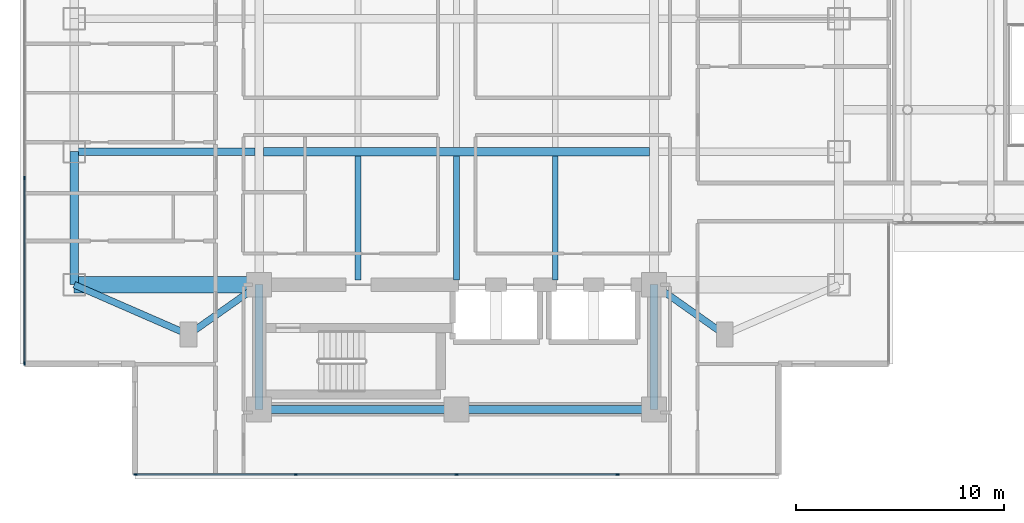
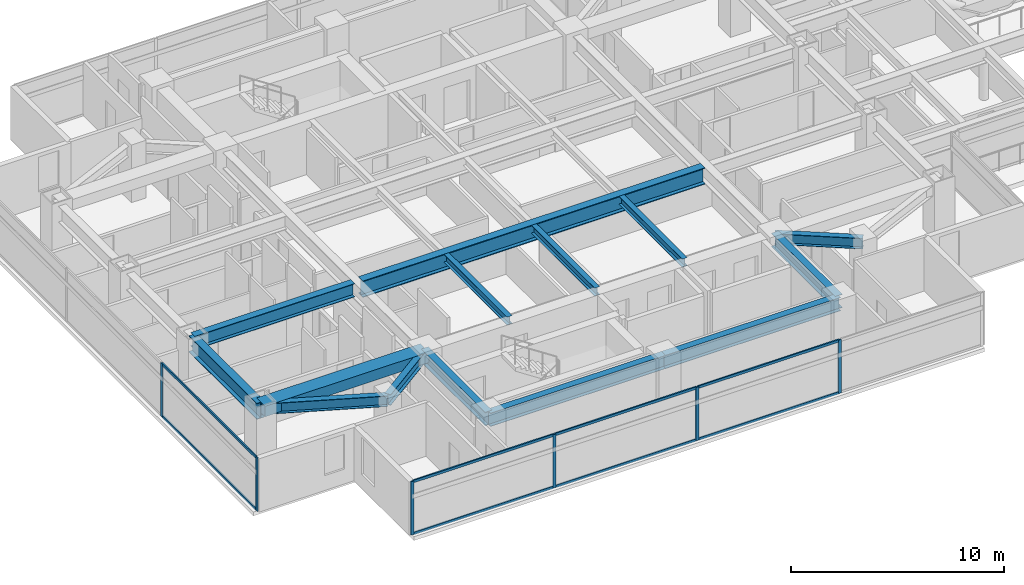
# One storey, part 2 of 27: 14 beams, 14 members, 2 elements without a shape of their own.
"""IFC4 building model written with IfcOpenShell, lengths in metres."""

from ifc_helpers import new_model, si_unit, direction, frame, origin, origin_2d, place, context, subcontext, project, spatial, rectangle, i_section, extrude, material, material_profile, profile_set, type_object, element, aggregate, save


model = new_model("IFC4")

# Units and contexts
model_context = context("Model", 3, precision=1e-05, world=origin(), true_north=direction((0.0, 1.0)))
body_context = subcontext(model_context, "Body", "Model", "MODEL_VIEW")
ifc_project = project(units=[si_unit("LENGTHUNIT", "METRE"), si_unit("AREAUNIT", "SQUARE_METRE"), si_unit("VOLUMEUNIT", "CUBIC_METRE"), si_unit("PLANEANGLEUNIT", "RADIAN"), si_unit("MASSUNIT", "GRAM", prefix="KILO")], contexts=[model_context])

# Site, building, storey
site_placement = place(None, origin())
site = spatial("IfcSite", under=ifc_project, at=site_placement, CompositionType="ELEMENT")
building_placement = place(site_placement, origin())
building = spatial("IfcBuilding", under=site, at=building_placement, Name="Mirazonda Arch Towers", CompositionType="ELEMENT")
storey_placement = place(building_placement, frame((0.0, 0.0, 95.0)))
storey = spatial("IfcBuildingStorey", under=building, at=storey_placement, Name="L26", CompositionType="ELEMENT", Elevation=95.0)

# Beams
ifc_material_1 = material(Name="Steel ASTM A992 Grade 50", Category="steel")
ifc_material_profile_1 = material_profile(ifc_material_1, i_section(OverallWidth=0.41796875, OverallDepth=0.927001953125, WebThickness=0.019287109375, FlangeThickness=0.031982421875, at=origin_2d()), Name="W36X231")
ifc_profile_set_1 = profile_set([ifc_material_profile_1], Name="Steel ASTM A992 Grade 50")
beam_type_1 = type_object("IfcBeamType", Name="BM-EXT-W36X231", PredefinedType="USERDEFINED", material=ifc_profile_set_1)
beam_1_placement = place(storey_placement, frame((2.10009765625, 18.39990234375, 2.616455078125), z_axis=(0.0, 1.0, 0.0), x_axis=(-1.0, 0.0, 0.0)))
element("IfcBeam", 1, at=beam_1_placement, inside=storey, type_object=beam_type_1, Name="L26 Floor Beam BM-T1-L26-NS-W-18", ObjectType="GIRDER", PredefinedType="USERDEFINED", context=body_context, shape_type="SweptSolid", body=[
    extrude(i_section(OverallWidth=0.41796875, OverallDepth=0.927001953125, WebThickness=0.019287109375, FlangeThickness=0.031982421875, at=origin_2d()), origin(), (0.0, 0.0, 1.0), 6.400146484375),
])
ifc_material_profile_2 = material_profile(ifc_material_1, i_section(OverallWidth=0.280029296875, OverallDepth=0.462890625, WebThickness=0.0107421875, FlangeThickness=0.017333984375, at=origin_2d()), Name="W18X76")
ifc_profile_set_2 = profile_set([ifc_material_profile_2], Name="Steel ASTM A992 Grade 50")
beam_type_2 = type_object("IfcBeamType", Name="BM-INT-W18X76", PredefinedType="JOIST", material=ifc_profile_set_2)
for number, where, z_axis, x_axis, name in (
    (2, (15.75, 18.639892578125, 2.848388671875), (0.0, 1.0, 0.0), (-1.0, 0.0, 0.0), "L26 Floor Beam BM-T1-L26-J-157-18"),
    (3, (20.5, 18.639892578125, 2.848388671875), (0.0, 1.0, 0.0), (-1.0, 0.0, 0.0), "L26 Floor Beam BM-T1-L26-J-205-18"),
    (4, (25.25, 18.639892578125, 2.848388671875), (0.0, 1.0, 0.0), (-1.0, 0.0, 0.0), "L26 Floor Beam BM-T1-L26-J-252-18"),
):
    element("IfcBeam", number, at=place(storey_placement, frame(where, z_axis=z_axis, x_axis=x_axis)), inside=storey, type_object=beam_type_2, Name=name, PredefinedType="JOIST", context=body_context, shape_type="SweptSolid", body=[
        extrude(i_section(OverallWidth=0.280029296875, OverallDepth=0.462890625, WebThickness=0.0107421875, FlangeThickness=0.017333984375, at=origin_2d()), origin(), (0.0, 0.0, 1.0), 5.95263671875),
    ])
ifc_material_profile_3 = material_profile(ifc_material_1, i_section(OverallWidth=0.324951171875, OverallDepth=0.615966796875, WebThickness=0.013916015625, FlangeThickness=0.021484375, at=origin_2d()), Name="W24X117")
ifc_profile_set_3 = profile_set([ifc_material_profile_3], Name="Steel ASTM A992 Grade 50")
beam_type_3 = type_object("IfcBeamType", Name="BM-INT-W24X117", PredefinedType="BEAM", material=ifc_profile_set_3)
beam_2_placement = place(storey_placement, frame((7.60009765625, 16.0, 2.77197265625), z_axis=(0.816971114901, 0.576678591087, 0.0), x_axis=(-0.576678591087, 0.816971114901, 0.0)))
element("IfcBeam", 5, at=beam_2_placement, inside=storey, type_object=beam_type_3, Name="L26 Floor Beam BM-T1-L26-PL-SW1", PredefinedType="BEAM", context=body_context, shape_type="SweptSolid", body=[
    extrude(i_section(OverallWidth=0.324951171875, OverallDepth=0.615966796875, WebThickness=0.013916015625, FlangeThickness=0.021484375, at=origin_2d()), origin(), (0.0, 0.0, 1.0), 4.16162109375),
])
beam_3_placement = place(storey_placement, frame((7.60009765625, 16.0, 2.77197265625), z_axis=(-0.916545343703, 0.399930785183, 0.0), x_axis=(-0.399930785183, -0.916545343703, 0.0)))
element("IfcBeam", 6, at=beam_3_placement, inside=storey, type_object=beam_type_3, Name="L26 Floor Beam BM-T1-L26-PL-SW2", PredefinedType="BEAM", context=body_context, shape_type="SweptSolid", body=[
    extrude(i_section(OverallWidth=0.324951171875, OverallDepth=0.615966796875, WebThickness=0.013916015625, FlangeThickness=0.021484375, at=origin_2d()), origin(), (0.0, 0.0, 1.0), 6.000732421875),
])
beam_4_placement = place(storey_placement, frame((33.39990234375, 16.0, 2.77197265625), z_axis=(-0.816971114901, 0.576678591087, 0.0), x_axis=(-0.576678591087, -0.816971114901, 0.0)))
element("IfcBeam", 7, at=beam_4_placement, inside=storey, type_object=beam_type_3, Name="L26 Floor Beam BM-T1-L26-PL-SE1", PredefinedType="BEAM", context=body_context, shape_type="SweptSolid", body=[
    extrude(i_section(OverallWidth=0.324951171875, OverallDepth=0.615966796875, WebThickness=0.013916015625, FlangeThickness=0.021484375, at=origin_2d()), origin(), (0.0, 0.0, 1.0), 4.16162109375),
])
ifc_material_profile_4 = material_profile(ifc_material_1, i_section(OverallWidth=0.381103515625, OverallDepth=0.77294921875, WebThickness=0.0166015625, FlangeThickness=0.027099609375, at=origin_2d()), Name="W30X173")
ifc_profile_set_4 = profile_set([ifc_material_profile_4], Name="Steel ASTM A992 Grade 50")
beam_type_4 = type_object("IfcBeamType", Name="BM-INT-W30X173", PredefinedType="USERDEFINED", material=ifc_profile_set_4)
beam_5_placement = place(storey_placement, frame((2.10009765625, 24.800048828125, 2.693603515625), z_axis=(1.0, 0.0, 0.0), x_axis=(0.0, 1.0, 0.0)))
element("IfcBeam", 8, at=beam_5_placement, inside=storey, type_object=beam_type_4, Name="L26 Floor Beam BM-T1-L26-GW2", ObjectType="GIRDER", PredefinedType="USERDEFINED", context=body_context, shape_type="SweptSolid", body=[
    extrude(i_section(OverallWidth=0.381103515625, OverallDepth=0.77294921875, WebThickness=0.0166015625, FlangeThickness=0.027099609375, at=origin_2d()), origin(), (0.0, 0.0, 1.0), 8.6884765625),
])
for number, where, z_axis, x_axis, name in (
    (9, (11.0, 12.39990234375, 2.693603515625), (1.0, 0.0, 0.0), (0.0, 1.0, 0.0), "L26 Floor Beam BM-T1-L26-CS1"),
    (10, (20.5, 12.39990234375, 2.693603515625), (1.0, 0.0, 0.0), (0.0, 1.0, 0.0), "L26 Floor Beam BM-T1-L26-CS2"),
):
    element("IfcBeam", number, at=place(storey_placement, frame(where, z_axis=z_axis, x_axis=x_axis)), inside=storey, type_object=beam_type_4, Name=name, ObjectType="GIRDER", PredefinedType="USERDEFINED", context=body_context, shape_type="SweptSolid", body=[
        extrude(i_section(OverallWidth=0.381103515625, OverallDepth=0.77294921875, WebThickness=0.0166015625, FlangeThickness=0.027099609375, at=origin_2d()), origin(), (0.0, 0.0, 1.0), 9.5),
    ])
for number, where, z_axis, x_axis, name in (
    (11, (11.0, 12.39990234375, 2.693603515625), (0.0, 1.0, 0.0), (-1.0, 0.0, 0.0), "L26 Floor Beam BM-T1-L26-CSW"),
    (12, (30.0, 12.39990234375, 2.693603515625), (0.0, 1.0, 0.0), (-1.0, 0.0, 0.0), "L26 Floor Beam BM-T1-L26-CSE"),
):
    element("IfcBeam", number, at=place(storey_placement, frame(where, z_axis=z_axis, x_axis=x_axis)), inside=storey, type_object=beam_type_4, Name=name, ObjectType="GIRDER", PredefinedType="USERDEFINED", context=body_context, shape_type="SweptSolid", body=[
        extrude(i_section(OverallWidth=0.381103515625, OverallDepth=0.77294921875, WebThickness=0.0166015625, FlangeThickness=0.027099609375, at=origin_2d()), origin(), (0.0, 0.0, 1.0), 6.0),
    ])
ifc_material_profile_5 = material_profile(ifc_material_1, i_section(OverallWidth=0.423095703125, OverallDepth=0.947998046875, WebThickness=0.02392578125, FlangeThickness=0.042724609375, at=origin_2d()), Name="W36X302")
ifc_profile_set_5 = profile_set([ifc_material_profile_5], Name="Steel ASTM A992 Grade 50")
beam_type_5 = type_object("IfcBeamType", Name="BM-INT-W36X302", PredefinedType="USERDEFINED", material=ifc_profile_set_5)
beam_6_placement = place(storey_placement, frame((11.21142578125, 24.800048828125, 2.60595703125), z_axis=(1.0, 0.0, 0.0), x_axis=(0.0, 1.0, 0.0)))
element("IfcBeam", 13, at=beam_6_placement, inside=storey, type_object=beam_type_5, Name="L26 Floor Beam BM-T1-L26-GC2", ObjectType="GIRDER", PredefinedType="USERDEFINED", context=body_context, shape_type="SweptSolid", body=[
    extrude(i_section(OverallWidth=0.423095703125, OverallDepth=0.947998046875, WebThickness=0.02392578125, FlangeThickness=0.042724609375, at=origin_2d()), origin(), (0.0, 0.0, 1.0), 18.5771484375),
])
ifc_material_2 = material(Name="Concrete C60/75", Category="concrete")
ifc_material_profile_6 = material_profile(ifc_material_2, rectangle(XDim=0.800048828125, YDim=0.60009765625, at=origin_2d()), Name="RCCB800x600")
ifc_profile_set_6 = profile_set([ifc_material_profile_6], Name="Concrete C60/75")
beam_type_6 = type_object("IfcBeamType", Name="CB-INT-RCCB800x600", PredefinedType="SPANDREL", material=ifc_profile_set_6)
beam_7_placement = place(storey_placement, frame((2.10009765625, 18.39990234375, 2.780029296875), z_axis=(1.0, 0.0, 0.0), x_axis=(0.0, 1.0, 0.0)))
element("IfcBeam", 14, at=beam_7_placement, inside=storey, type_object=beam_type_6, Name="L26 Floor Beam CBC-T1-L26-SW", PredefinedType="SPANDREL", context=body_context, shape_type="SweptSolid", body=[
    extrude(rectangle(XDim=0.800048828125, YDim=0.60009765625, at=origin_2d()), origin(), (0.0, 0.0, 1.0), 8.89990234375),
])

# Curtain wall, members
ifc_material_3 = material(Name="Anodised Aluminium and Low-E Glass", Category="aluminium")
curtain_wall_type = type_object("IfcCurtainWallType", Name="CW-HTL-UNIT", PredefinedType="NOTDEFINED", material=ifc_material_3)
curtain_wall_1_placement = place(storey_placement, origin())
curtain_wall_1 = element("IfcCurtainWall", 15, at=curtain_wall_1_placement, inside=storey, type_object=curtain_wall_type, Name="L26 T1 S Facade CW-L26-T1-S", PredefinedType="NOTDEFINED")
ifc_material_4 = material(Name="Anodised Aluminium Alloy", Category="aluminium")
ifc_material_profile_7 = material_profile(ifc_material_4, rectangle(XDim=0.074951171875, YDim=0.1650390625, at=origin_2d()), Name="ALU-MULL-75x165")
ifc_profile_set_7 = profile_set([ifc_material_profile_7], Name="Anodised Aluminium Alloy")
member_type_1 = type_object("IfcMemberType", Name="MULL-CW-HTL-UNIT", PredefinedType="MULLION", material=ifc_profile_set_7)
member_1_placement = place(storey_placement, frame((28.242431640625, 9.27392578125, 0.0), z_axis=(0.0, 0.0, 1.0), x_axis=(0.0, -1.0, 0.0)))
member_1 = element("IfcMember", 16, at=member_1_placement, type_object=member_type_1, Name="CW-112 mullion 2", PredefinedType="MULLION", context=body_context, shape_type="SweptSolid", body=[
    extrude(rectangle(XDim=0.074951171875, YDim=0.1650390625, at=origin_2d()), origin(), (0.0, 0.0, 1.0), 3.06005859375),
])
member_2_placement = place(storey_placement, frame((20.5, 9.27392578125, 0.0), z_axis=(0.0, 0.0, 1.0), x_axis=(0.0, -1.0, 0.0)))
member_2 = element("IfcMember", 17, at=member_2_placement, type_object=member_type_1, Name="CW-112 mullion 3", PredefinedType="MULLION", context=body_context, shape_type="SweptSolid", body=[
    extrude(rectangle(XDim=0.074951171875, YDim=0.1650390625, at=origin_2d()), origin(), (0.0, 0.0, 1.0), 3.06005859375),
])
member_3_placement = place(storey_placement, frame((12.757568359375, 9.27392578125, 0.0), z_axis=(0.0, 0.0, 1.0), x_axis=(0.0, -1.0, 0.0)))
member_3 = element("IfcMember", 18, at=member_3_placement, type_object=member_type_1, Name="CW-112 mullion 4", PredefinedType="MULLION", context=body_context, shape_type="SweptSolid", body=[
    extrude(rectangle(XDim=0.074951171875, YDim=0.1650390625, at=origin_2d()), origin(), (0.0, 0.0, 1.0), 3.06005859375),
])
member_4_placement = place(storey_placement, frame((5.052490234375, 9.27392578125, 0.0), z_axis=(0.0, 0.0, 1.0), x_axis=(0.0, -1.0, 0.0)))
member_4 = element("IfcMember", 19, at=member_4_placement, type_object=member_type_1, Name="CW-112 mullion 5", PredefinedType="MULLION", context=body_context, shape_type="SweptSolid", body=[
    extrude(rectangle(XDim=0.074951171875, YDim=0.1650390625, at=origin_2d()), origin(), (0.0, 0.0, 1.0), 3.06005859375),
])

curtain_wall_2_placement = place(storey_placement, origin())
curtain_wall_2 = element("IfcCurtainWall", 20, at=curtain_wall_2_placement, inside=storey, type_object=curtain_wall_type, Name="L26 T1 W Facade CW-L26-T1-W", PredefinedType="NOTDEFINED")
member_5_placement = place(storey_placement, frame((-0.2900390625, 23.5263671875, 0.0), z_axis=(0.0, 0.0, 1.0), x_axis=(1.0, 0.0, 0.0)))
member_5 = element("IfcMember", 21, at=member_5_placement, type_object=member_type_1, Name="CW-112 mullion 3", PredefinedType="MULLION", context=body_context, shape_type="SweptSolid", body=[
    extrude(rectangle(XDim=0.074951171875, YDim=0.1650390625, at=origin_2d()), origin(), (0.0, 0.0, 1.0), 3.06005859375),
])
member_6_placement = place(storey_placement, frame((-0.2900390625, 14.616455078125, 0.0), z_axis=(0.0, 0.0, 1.0), x_axis=(1.0, 0.0, 0.0)))
member_6 = element("IfcMember", 22, at=member_6_placement, type_object=member_type_1, Name="CW-112 mullion 4", PredefinedType="MULLION", context=body_context, shape_type="SweptSolid", body=[
    extrude(rectangle(XDim=0.074951171875, YDim=0.1650390625, at=origin_2d()), origin(), (0.0, 0.0, 1.0), 3.06005859375),
])

# Member
ifc_material_profile_8 = material_profile(ifc_material_4, rectangle(XDim=0.074951171875, YDim=0.14501953125, at=origin_2d()), Name="ALU-TRAN-75x145")
ifc_profile_set_8 = profile_set([ifc_material_profile_8], Name="Anodised Aluminium Alloy")
member_type_2 = type_object("IfcMemberType", Name="TRAN-CW-HTL-UNIT", PredefinedType="USERDEFINED", material=ifc_profile_set_8)
member_7_placement = place(storey_placement, frame((28.205078125, 9.27392578125, 0.03759765625), z_axis=(-1.0, 0.0, 0.0), x_axis=(0.0, -1.0, 0.0)))
member_7 = element("IfcMember", 23, at=member_7_placement, type_object=member_type_2, Name="CW-112 transom 2.1", ObjectType="TRANSOM", PredefinedType="USERDEFINED", context=body_context, shape_type="SweptSolid", body=[
    extrude(rectangle(XDim=0.074951171875, YDim=0.14501953125, at=origin_2d()), origin(), (0.0, 0.0, 1.0), 7.66748046875),
])

member_8_placement = place(storey_placement, frame((28.205078125, 9.27392578125, 3.0224609375), z_axis=(-1.0, 0.0, 0.0), x_axis=(0.0, -1.0, 0.0)))
member_8 = element("IfcMember", 24, at=member_8_placement, type_object=member_type_2, Name="CW-112 transom 2.2", ObjectType="TRANSOM", PredefinedType="USERDEFINED", context=body_context, shape_type="SweptSolid", body=[
    extrude(rectangle(XDim=0.074951171875, YDim=0.14501953125, at=origin_2d()), origin(), (0.0, 0.0, 1.0), 7.66748046875),
])

member_9_placement = place(storey_placement, frame((20.46240234375, 9.27392578125, 0.03759765625), z_axis=(-1.0, 0.0, 0.0), x_axis=(0.0, -1.0, 0.0)))
member_9 = element("IfcMember", 25, at=member_9_placement, type_object=member_type_2, Name="CW-112 transom 3.1", ObjectType="TRANSOM", PredefinedType="USERDEFINED", context=body_context, shape_type="SweptSolid", body=[
    extrude(rectangle(XDim=0.074951171875, YDim=0.14501953125, at=origin_2d()), origin(), (0.0, 0.0, 1.0), 7.66748046875),
])

member_10_placement = place(storey_placement, frame((20.46240234375, 9.27392578125, 3.0224609375), z_axis=(-1.0, 0.0, 0.0), x_axis=(0.0, -1.0, 0.0)))
member_10 = element("IfcMember", 26, at=member_10_placement, type_object=member_type_2, Name="CW-112 transom 3.2", ObjectType="TRANSOM", PredefinedType="USERDEFINED", context=body_context, shape_type="SweptSolid", body=[
    extrude(rectangle(XDim=0.074951171875, YDim=0.14501953125, at=origin_2d()), origin(), (0.0, 0.0, 1.0), 7.66748046875),
])

member_11_placement = place(storey_placement, frame((12.719970703125, 9.27392578125, 0.03759765625), z_axis=(-1.0, 0.0, 0.0), x_axis=(0.0, -1.0, 0.0)))
member_11 = element("IfcMember", 27, at=member_11_placement, type_object=member_type_2, Name="CW-112 transom 4.1", ObjectType="TRANSOM", PredefinedType="USERDEFINED", context=body_context, shape_type="SweptSolid", body=[
    extrude(rectangle(XDim=0.074951171875, YDim=0.14501953125, at=origin_2d()), origin(), (0.0, 0.0, 1.0), 7.6298828125),
])

member_12_placement = place(storey_placement, frame((12.719970703125, 9.27392578125, 3.0224609375), z_axis=(-1.0, 0.0, 0.0), x_axis=(0.0, -1.0, 0.0)))
member_12 = element("IfcMember", 28, at=member_12_placement, type_object=member_type_2, Name="CW-112 transom 4.2", ObjectType="TRANSOM", PredefinedType="USERDEFINED", context=body_context, shape_type="SweptSolid", body=[
    extrude(rectangle(XDim=0.074951171875, YDim=0.14501953125, at=origin_2d()), origin(), (0.0, 0.0, 1.0), 7.6298828125),
])

aggregate(curtain_wall_1, [member_1, member_2, member_3, member_4, member_7, member_8, member_9, member_10, member_11, member_12])

member_13_placement = place(storey_placement, frame((-0.2900390625, 23.48876953125, 0.03759765625), z_axis=(0.0, -1.0, 0.0), x_axis=(1.0, 0.0, 0.0)))
member_13 = element("IfcMember", 29, at=member_13_placement, type_object=member_type_2, Name="CW-112 transom 3.1", ObjectType="TRANSOM", PredefinedType="USERDEFINED", context=body_context, shape_type="SweptSolid", body=[
    extrude(rectangle(XDim=0.074951171875, YDim=0.14501953125, at=origin_2d()), origin(), (0.0, 0.0, 1.0), 8.834716796875),
])

member_14_placement = place(storey_placement, frame((-0.2900390625, 23.48876953125, 3.0224609375), z_axis=(0.0, -1.0, 0.0), x_axis=(1.0, 0.0, 0.0)))
member_14 = element("IfcMember", 30, at=member_14_placement, type_object=member_type_2, Name="CW-112 transom 3.2", ObjectType="TRANSOM", PredefinedType="USERDEFINED", context=body_context, shape_type="SweptSolid", body=[
    extrude(rectangle(XDim=0.074951171875, YDim=0.14501953125, at=origin_2d()), origin(), (0.0, 0.0, 1.0), 8.834716796875),
])

aggregate(curtain_wall_2, [member_5, member_6, member_13, member_14])

save(model, "model.ifc")
